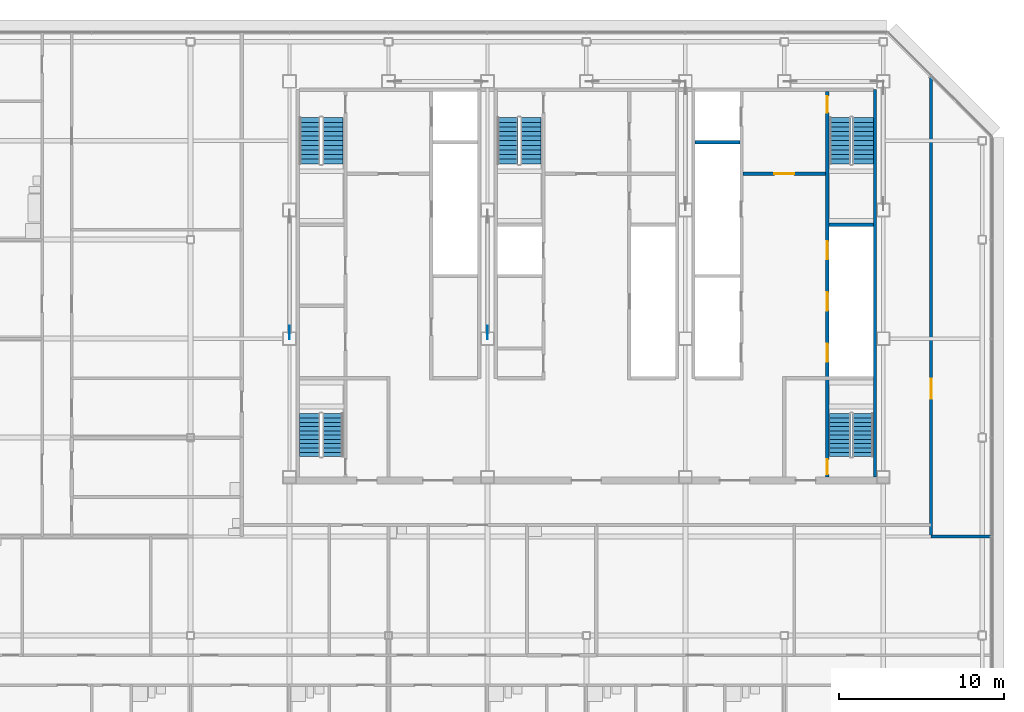
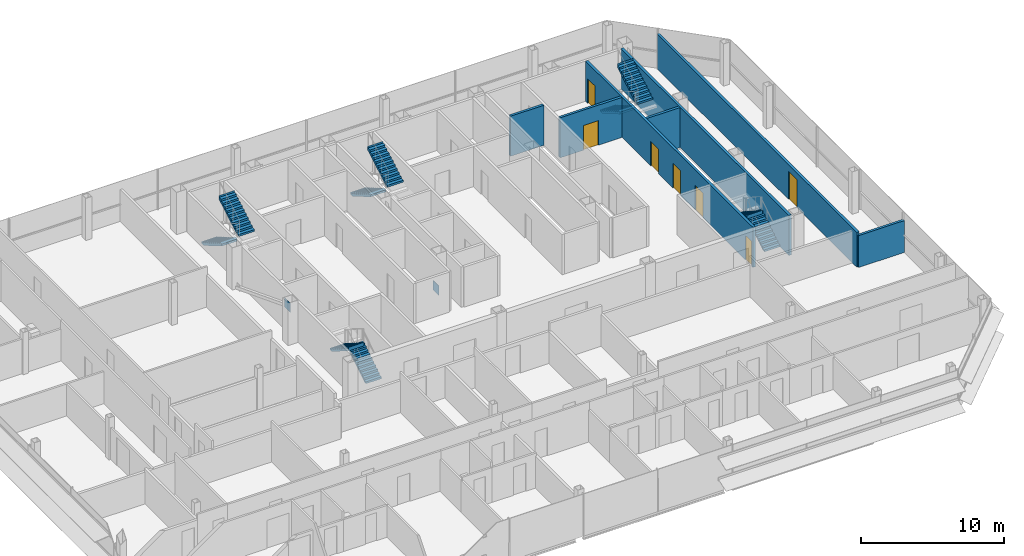
# One storey, part 25 of 28: 10 stair flights, 7 doors, 7 walls, 2 discrete accessories, 7 openings, 5 elements without a shape of their own.
"""IFC4 building model written with IfcOpenShell, lengths in metres."""

from ifc_helpers import new_model, si_unit, direction, frame, frame_2d, origin, origin_2d, place, context, subcontext, project, spatial, polyline, rectangle, outline, extrude, material, layer, layer_set, type_object, element, fill, aggregate, save


model = new_model("IFC4")

# Units and contexts
model_context = context("Model", 3, precision=1e-05, world=origin(), true_north=direction((0.0, 1.0)))
body_context = subcontext(model_context, "Body", "Model", "MODEL_VIEW")
ifc_project = project(units=[si_unit("LENGTHUNIT", "METRE"), si_unit("AREAUNIT", "SQUARE_METRE"), si_unit("VOLUMEUNIT", "CUBIC_METRE"), si_unit("PLANEANGLEUNIT", "RADIAN"), si_unit("MASSUNIT", "GRAM", prefix="KILO")], contexts=[model_context])

# Site, building, storey
site_placement = place(None, origin())
site = spatial("IfcSite", under=ifc_project, at=site_placement, CompositionType="ELEMENT")
building_placement = place(site_placement, origin())
building = spatial("IfcBuilding", under=site, at=building_placement, Name="Sorahane Residences", CompositionType="ELEMENT")
storey_placement = place(building_placement, frame((0.0, 0.0, 301.60009765625)))
storey = spatial("IfcBuildingStorey", under=building, at=storey_placement, Name="L71", CompositionType="ELEMENT", Elevation=301.60009765625)

# Wall
ifc_material_1 = material(Name="Concrete C30", Category="concrete")
ifc_layer_1 = layer(ifc_material_1, 0.199951171875)
ifc_layer_set_1 = layer_set([ifc_layer_1], Name="Core face wall 200 EI 180")
wall_type_1 = type_object("IfcWallType", Name="Core face wall 200 EI 180", PredefinedType="SOLIDWALL", material=ifc_layer_set_1)
wall_1_placement = place(storey_placement, frame((41.5, 21.60009765625, 0.0), z_axis=(0.0, 0.0, 1.0), x_axis=(0.0, 1.0, 0.0)))
element("IfcWall", 1, at=wall_1_placement, inside=storey, type_object=wall_type_1, Name="L71 core face wall", PredefinedType="SOLIDWALL", context=body_context, shape_type="SweptSolid", body=[
    extrude(rectangle(XDim=23.5, YDim=0.199951171875, at=frame_2d((11.75, 0.0))), origin(), (0.0, 0.0, 1.0), 3.419921875),
])

# Wall, opening, door
ifc_material_2 = material(Name="Concrete blockwork C20 wall", Category="masonry")
ifc_layer_2 = layer(ifc_material_2, 0.199951171875)
ifc_layer_set_2 = layer_set([ifc_layer_2], Name="Corridor wall 200 EI 120")
wall_type_2 = type_object("IfcWallType", Name="Corridor wall 200 EI 120", PredefinedType="SOLIDWALL", material=ifc_layer_set_2)
wall_2_placement = place(storey_placement, frame((44.89990234375, 18.0, 0.0), z_axis=(0.0, 0.0, 1.0), x_axis=(0.0, 1.0, 0.0)))
wall_2 = element("IfcWall", 2, at=wall_2_placement, inside=storey, type_object=wall_type_2, Name="L71 corridor wall", PredefinedType="SOLIDWALL", context=body_context, shape_type="SweptSolid", body=[
    extrude(rectangle(XDim=27.948974609375, YDim=0.199951171875, at=frame_2d((13.974609375, 0.0))), origin(), (0.0, 0.0, 1.0), 2.969970703125),
])
opening_1_placement = place(wall_2_placement, frame((8.360107421875, 0.0, 0.0)))
opening_1 = element("IfcOpeningElement", 3, at=opening_1_placement, cuts=wall_2, Name="Opening L71-47", PredefinedType="OPENING", context=body_context, shape_type="SweptSolid", body=[
    extrude(rectangle(XDim=1.199951171875, YDim=2.39990234375, at=frame_2d((0.60009765625, 1.199951171875))), frame((0.0, 0.10986328125, 0.0), z_axis=(0.0, -1.0, 0.0), x_axis=(1.0, 0.0, 0.0)), (0.0, 0.0, 1.0), 0.219970703125),
])
ifc_material_3 = material(Name="Steel", Category="steel")
door_type_1 = type_object("IfcDoorType", Name="Lobby door 1200x2400 FD60", OperationType="NOTDEFINED", PredefinedType="DOOR", material=ifc_material_3)
door_1_placement = place(opening_1_placement, frame((1.199951171875, 0.0, 0.0), z_axis=(0.0, 0.0, 1.0), x_axis=(-1.0, 0.0, 0.0)))
door_1 = element("IfcDoor", 4, at=door_1_placement, inside=storey, type_object=door_type_1, Name="Lobby door L71-47", OperationType="SINGLE_SWING_RIGHT", OverallHeight=2.39990234375, OverallWidth=1.199951171875, PredefinedType="DOOR", context=body_context, shape_type="SweptSolid", body=[
    extrude(rectangle(XDim=1.199951171875, YDim=2.39990234375, at=frame_2d((0.60009765625, 1.199951171875))), frame((0.0, 0.02490234375, 0.0), z_axis=(0.0, -1.0, 0.0), x_axis=(1.0, 0.0, 0.0)), (0.0, 0.0, 1.0), 0.050048828125),
])
fill(opening_1, door_1)

# Wall
wall_3_placement = place(storey_placement, frame((44.89990234375, 18.0, 0.0), z_axis=(0.0, 0.0, 1.0), x_axis=(1.0, 0.0, 0.0)))
element("IfcWall", 5, at=wall_3_placement, inside=storey, type_object=wall_type_2, Name="L71 corridor wall", PredefinedType="SOLIDWALL", context=body_context, shape_type="SweptSolid", body=[
    extrude(rectangle(XDim=3.7001953125, YDim=0.199951171875, at=frame_2d((1.85009765625, 0.0))), origin(), (0.0, 0.0, 1.0), 2.719970703125),
])

# Wall, opening, door
ifc_material_4 = material(Name="Concrete C30", Category="concrete")
ifc_layer_3 = layer(ifc_material_4, 0.199951171875)
ifc_layer_set_3 = layer_set([ifc_layer_3], Name="Front room wall 200 EI 120")
wall_type_3 = type_object("IfcWallType", Name="Front room wall 200 EI 120", PredefinedType="PARTITIONING", material=ifc_layer_set_3)
wall_4_placement = place(storey_placement, frame((33.5, 40.0, 0.0), z_axis=(0.0, 0.0, 1.0), x_axis=(1.0, 0.0, 0.0)))
wall_4 = element("IfcWall", 6, at=wall_4_placement, inside=storey, type_object=wall_type_3, Name="L71 front room wall", PredefinedType="PARTITIONING", context=body_context, shape_type="SweptSolid", body=[
    extrude(rectangle(XDim=5.0, YDim=0.199951171875, at=frame_2d((2.5, 0.0))), origin(), (0.0, 0.0, 1.0), 3.419921875),
])
opening_2_placement = place(wall_4_placement, frame((1.89990234375, 0.0, 0.0)))
opening_2 = element("IfcOpeningElement", 7, at=opening_2_placement, cuts=wall_4, Name="Opening L71-C08", PredefinedType="OPENING", context=body_context, shape_type="SweptSolid", body=[
    extrude(rectangle(XDim=1.199951171875, YDim=2.10009765625, at=frame_2d((0.60009765625, 1.050048828125))), frame((0.0, 0.10986328125, 0.0), z_axis=(0.0, -1.0, 0.0), x_axis=(1.0, 0.0, 0.0)), (0.0, 0.0, 1.0), 0.219970703125),
])
ifc_material_5 = material(Name="Steel", Category="steel")
door_type_2 = type_object("IfcDoorType", Name="Front room door 1200x2100 FD120", OperationType="NOTDEFINED", PredefinedType="DOOR", material=ifc_material_5)
door_2_placement = place(opening_2_placement, frame((1.199951171875, 0.0, 0.0), z_axis=(0.0, 0.0, 1.0), x_axis=(-1.0, 0.0, 0.0)))
door_2 = element("IfcDoor", 8, at=door_2_placement, inside=storey, type_object=door_type_2, Name="Front room door Firefighting lobby FF2 front room L71", OperationType="DOUBLE_DOOR_SINGLE_SWING", OverallHeight=2.10009765625, OverallWidth=1.199951171875, PredefinedType="DOOR", context=body_context, shape_type="SweptSolid", body=[
    extrude(rectangle(XDim=1.199951171875, YDim=2.10009765625, at=frame_2d((0.60009765625, 1.050048828125))), frame((0.0, 0.02490234375, 0.0), z_axis=(0.0, -1.0, 0.0), x_axis=(1.0, 0.0, 0.0)), (0.0, 0.0, 1.0), 0.050048828125),
])
fill(opening_2, door_2)

# Wall
ifc_material_6 = material(Name="Concrete C30", Category="concrete")
ifc_layer_4 = layer(ifc_material_6, 0.199951171875)
ifc_layer_set_4 = layer_set([ifc_layer_4], Name="Lift shaft wall 200 EI 120")
wall_type_4 = type_object("IfcWallType", Name="Lift shaft wall 200 EI 120", PredefinedType="SOLIDWALL", material=ifc_layer_set_4)
wall_5_placement = place(storey_placement, frame((30.60009765625, 41.89990234375, 0.0), z_axis=(0.0, 0.0, 1.0), x_axis=(1.0, 0.0, 0.0)))
element("IfcWall", 9, at=wall_5_placement, inside=storey, type_object=wall_type_4, Name="L71 lift shaft wall", PredefinedType="SOLIDWALL", context=body_context, shape_type="SweptSolid", body=[
    extrude(rectangle(XDim=2.699951171875, YDim=0.199951171875, at=frame_2d((1.35009765625, 0.0))), origin(), (0.0, 0.0, 1.0), 3.419921875),
])

# Wall, openings, doors
ifc_material_7 = material(Name="Concrete C30", Category="concrete")
ifc_layer_5 = layer(ifc_material_7, 0.199951171875)
ifc_layer_set_5 = layer_set([ifc_layer_5], Name="Stair enclosure wall 200 EI 120")
wall_type_5 = type_object("IfcWallType", Name="Stair enclosure wall 200 EI 120", PredefinedType="SOLIDWALL", material=ifc_layer_set_5)
wall_6_placement = place(storey_placement, frame((38.60009765625, 21.60009765625, 0.0), z_axis=(0.0, 0.0, 1.0), x_axis=(0.0, 1.0, 0.0)))
wall_6 = element("IfcWall", 10, at=wall_6_placement, inside=storey, type_object=wall_type_5, Name="L71 stair enclosure wall", PredefinedType="SOLIDWALL", context=body_context, shape_type="SweptSolid", body=[
    extrude(rectangle(XDim=23.39990234375, YDim=0.199951171875, at=frame_2d((11.699951171875, 0.0))), origin(), (0.0, 0.0, 1.0), 3.419921875),
])
opening_3_placement = place(wall_6_placement, frame((7.0, 0.0, 0.0)))
opening_3 = element("IfcOpeningElement", 11, at=opening_3_placement, cuts=wall_6, Name="Opening L71-C09", PredefinedType="OPENING", context=body_context, shape_type="SweptSolid", body=[
    extrude(rectangle(XDim=1.10009765625, YDim=2.10009765625, at=frame_2d((0.550048828125, 1.050048828125))), frame((0.0, 0.10986328125, 0.0), z_axis=(0.0, -1.0, 0.0), x_axis=(1.0, 0.0, 0.0)), (0.0, 0.0, 1.0), 0.219970703125),
])
opening_4_placement = place(wall_6_placement, frame((10.10009765625, 0.0, 0.0)))
opening_4 = element("IfcOpeningElement", 12, at=opening_4_placement, cuts=wall_6, Name="Opening L71-C10", PredefinedType="OPENING", context=body_context, shape_type="SweptSolid", body=[
    extrude(rectangle(XDim=1.10009765625, YDim=2.10009765625, at=frame_2d((0.550048828125, 1.050048828125))), frame((0.0, 0.10986328125, 0.0), z_axis=(0.0, -1.0, 0.0), x_axis=(1.0, 0.0, 0.0)), (0.0, 0.0, 1.0), 0.219970703125),
])
opening_5_placement = place(wall_6_placement, frame((13.199951171875, 0.0, 0.0)))
opening_5 = element("IfcOpeningElement", 13, at=opening_5_placement, cuts=wall_6, Name="Opening L71-C11", PredefinedType="OPENING", context=body_context, shape_type="SweptSolid", body=[
    extrude(rectangle(XDim=1.10009765625, YDim=2.10009765625, at=frame_2d((0.550048828125, 1.050048828125))), frame((0.0, 0.10986328125, 0.0), z_axis=(0.0, -1.0, 0.0), x_axis=(1.0, 0.0, 0.0)), (0.0, 0.0, 1.0), 0.219970703125),
])
opening_6_placement = place(wall_6_placement, frame((22.10009765625, 0.0, 0.0)))
opening_6 = element("IfcOpeningElement", 14, at=opening_6_placement, cuts=wall_6, Name="Opening L71-C22", PredefinedType="OPENING", context=body_context, shape_type="SweptSolid", body=[
    extrude(rectangle(XDim=1.0, YDim=2.10009765625, at=frame_2d((0.5, 1.050048828125))), frame((0.0, 0.10986328125, 0.0), z_axis=(0.0, -1.0, 0.0), x_axis=(1.0, 0.0, 0.0)), (0.0, 0.0, 1.0), 0.219970703125),
])
opening_7_placement = place(wall_6_placement, frame((0.175048828125, 0.0, 0.0)))
opening_7 = element("IfcOpeningElement", 15, at=opening_7_placement, cuts=wall_6, Name="Opening L71-C25", PredefinedType="OPENING", context=body_context, shape_type="SweptSolid", body=[
    extrude(rectangle(XDim=0.89990234375, YDim=2.10009765625, at=frame_2d((0.449951171875, 1.050048828125))), frame((0.0, 0.10986328125, 0.0), z_axis=(0.0, -1.0, 0.0), x_axis=(1.0, 0.0, 0.0)), (0.0, 0.0, 1.0), 0.219970703125),
])
ifc_material_8 = material(Name="Aluminium and stainless steel", Category="steel")
door_type_3 = type_object("IfcDoorType", Name="Lift landing door 1100x2100 E 60", OperationType="NOTDEFINED", PredefinedType="DOOR", material=ifc_material_8)
door_3_placement = place(opening_3_placement, origin())
door_3 = element("IfcDoor", 16, at=door_3_placement, inside=storey, type_object=door_type_3, Name="Lift landing door HR1 L71", OperationType="DOUBLE_DOOR_SLIDING", OverallHeight=2.10009765625, OverallWidth=1.10009765625, PredefinedType="DOOR", context=body_context, shape_type="SweptSolid", body=[
    extrude(rectangle(XDim=1.10009765625, YDim=2.10009765625, at=frame_2d((0.550048828125, 1.050048828125))), frame((0.0, 0.02490234375, 0.0), z_axis=(0.0, -1.0, 0.0), x_axis=(1.0, 0.0, 0.0)), (0.0, 0.0, 1.0), 0.050048828125),
])
fill(opening_3, door_3)
door_4_placement = place(opening_4_placement, origin())
door_4 = element("IfcDoor", 17, at=door_4_placement, inside=storey, type_object=door_type_3, Name="Lift landing door HR2 L71", OperationType="DOUBLE_DOOR_SLIDING", OverallHeight=2.10009765625, OverallWidth=1.10009765625, PredefinedType="DOOR", context=body_context, shape_type="SweptSolid", body=[
    extrude(rectangle(XDim=1.10009765625, YDim=2.10009765625, at=frame_2d((0.550048828125, 1.050048828125))), frame((0.0, 0.02490234375, 0.0), z_axis=(0.0, -1.0, 0.0), x_axis=(1.0, 0.0, 0.0)), (0.0, 0.0, 1.0), 0.050048828125),
])
fill(opening_4, door_4)
door_5_placement = place(opening_5_placement, origin())
door_5 = element("IfcDoor", 18, at=door_5_placement, inside=storey, type_object=door_type_3, Name="Lift landing door HR3 L71", OperationType="DOUBLE_DOOR_SLIDING", OverallHeight=2.10009765625, OverallWidth=1.10009765625, PredefinedType="DOOR", context=body_context, shape_type="SweptSolid", body=[
    extrude(rectangle(XDim=1.10009765625, YDim=2.10009765625, at=frame_2d((0.550048828125, 1.050048828125))), frame((0.0, 0.02490234375, 0.0), z_axis=(0.0, -1.0, 0.0), x_axis=(1.0, 0.0, 0.0)), (0.0, 0.0, 1.0), 0.050048828125),
])
fill(opening_5, door_5)
ifc_material_9 = material(Name="Steel", Category="steel")
door_type_4 = type_object("IfcDoorType", Name="Stair door 1000x2100 FD120", OperationType="NOTDEFINED", PredefinedType="DOOR", material=ifc_material_9)
door_6_placement = place(opening_6_placement, frame((1.0, 0.0, 0.0), z_axis=(0.0, 0.0, 1.0), x_axis=(-1.0, 0.0, 0.0)))
door_6 = element("IfcDoor", 19, at=door_6_placement, inside=storey, type_object=door_type_4, Name="Stair door S2 L71", OperationType="SINGLE_SWING_LEFT", OverallHeight=2.10009765625, OverallWidth=1.0, PredefinedType="DOOR", context=body_context, shape_type="SweptSolid", body=[
    extrude(rectangle(XDim=1.0, YDim=2.10009765625, at=frame_2d((0.5, 1.050048828125))), frame((0.0, 0.02490234375, 0.0), z_axis=(0.0, -1.0, 0.0), x_axis=(1.0, 0.0, 0.0)), (0.0, 0.0, 1.0), 0.050048828125),
])
fill(opening_6, door_6)
ifc_material_10 = material(Name="Steel", Category="steel")
door_type_5 = type_object("IfcDoorType", Name="Stair door 900x2100 FD120", OperationType="NOTDEFINED", PredefinedType="DOOR", material=ifc_material_10)
door_7_placement = place(opening_7_placement, frame((0.89990234375, 0.0, 0.0), z_axis=(0.0, 0.0, 1.0), x_axis=(-1.0, 0.0, 0.0)))
door_7 = element("IfcDoor", 20, at=door_7_placement, inside=storey, type_object=door_type_5, Name="Stair door S5 L71", OperationType="SINGLE_SWING_LEFT", OverallHeight=2.10009765625, OverallWidth=0.89990234375, PredefinedType="DOOR", context=body_context, shape_type="SweptSolid", body=[
    extrude(rectangle(XDim=0.89990234375, YDim=2.10009765625, at=frame_2d((0.449951171875, 1.050048828125))), frame((0.0, 0.02490234375, 0.0), z_axis=(0.0, -1.0, 0.0), x_axis=(1.0, 0.0, 0.0)), (0.0, 0.0, 1.0), 0.050048828125),
])
fill(opening_7, door_7)

# Wall
wall_7_placement = place(storey_placement, frame((38.699951171875, 36.89990234375, 0.0), z_axis=(0.0, 0.0, 1.0), x_axis=(1.0, 0.0, 0.0)))
element("IfcWall", 21, at=wall_7_placement, inside=storey, type_object=wall_type_5, Name="L71 stair enclosure wall", PredefinedType="SOLIDWALL", context=body_context, shape_type="SweptSolid", body=[
    extrude(rectangle(XDim=2.699951171875, YDim=0.199951171875, at=frame_2d((1.35009765625, 0.0))), origin(), (0.0, 0.0, 1.0), 3.419921875),
])

# Stair, stair flights
ifc_material_11 = material(Name="Concrete C40", Category="concrete")
stair_type = type_object("IfcStairType", Name="Dog-leg stair 1250 Concrete C40", PredefinedType="HALF_TURN_STAIR", material=ifc_material_11)
stair_1_placement = place(storey_placement, origin())
stair_1 = element("IfcStair", 22, at=stair_1_placement, inside=storey, type_object=stair_type, Name="L71 Stair S1", PredefinedType="HALF_TURN_STAIR")
ifc_material_12 = material(Name="Concrete C40", Category="concrete")
stair_flight_type = type_object("IfcStairFlightType", Name="Stair flight 1250 Concrete C40", PredefinedType="STRAIGHT", material=ifc_material_12)
stair_flight_1_placement = place(storey_placement, frame((7.22509765625, 43.39990234375, 0.0), z_axis=(0.0, 0.0, 1.0), x_axis=(0.0, -1.0, 0.0)))
stair_flight_1 = element("IfcStairFlight", 23, at=stair_flight_1_placement, type_object=stair_flight_type, Name="S1 flight 1", NumberOfRisers=11, NumberOfTreads=10, PredefinedType="STRAIGHT", RiserHeight=0.163636364, TreadLength=0.28, context=body_context, shape_type="SweptSolid", body=[
    extrude(outline(polyline([(-0.00146484375, 0.0), (-0.00146484375, 0.16357421875), (0.0, 0.16357421875), (0.280029296875, 0.16357421875), (0.280029296875, 0.327392578125), (0.56005859375, 0.327392578125), (0.56005859375, 0.490966796875), (0.840087890625, 0.490966796875), (0.840087890625, 0.654541015625), (1.1201171875, 0.654541015625), (1.1201171875, 0.818115234375), (1.39990234375, 0.818115234375), (1.39990234375, 0.98193359375), (1.679931640625, 0.98193359375), (1.679931640625, 1.1455078125), (1.9599609375, 1.1455078125), (1.9599609375, 1.30908203125), (2.239990234375, 1.30908203125), (2.239990234375, 1.47265625), (2.52001953125, 1.47265625), (2.52001953125, 1.636474609375), (2.800048828125, 1.636474609375), (2.800048828125, 1.800048828125), (2.800048828125, 1.462646484375), (2.59130859375, 1.3408203125), (2.3828125, 1.218994140625), (2.17431640625, 1.09716796875), (1.965576171875, 0.97509765625), (1.757080078125, 0.853271484375), (1.548583984375, 0.7314453125), (1.340087890625, 0.609375), (1.13134765625, 0.487548828125), (0.9228515625, 0.36572265625), (0.71435546875, 0.243896484375), (0.505615234375, 0.121826171875), (0.297119140625, 0.0), (-0.00146484375, 0.0)])), frame((0.0, 0.625, 0.0), z_axis=(0.0, -1.0, 0.0), x_axis=(1.0, 0.0, 0.0)), (0.0, 0.0, 1.0), 1.25),
])
stair_flight_2_placement = place(storey_placement, frame((8.625, 40.60009765625, 1.7998046875), z_axis=(0.0, 0.0, 1.0), x_axis=(0.0, 1.0, 0.0)))
stair_flight_2 = element("IfcStairFlight", 24, at=stair_flight_2_placement, type_object=stair_flight_type, Name="S1 flight 2", NumberOfRisers=11, NumberOfTreads=10, PredefinedType="STRAIGHT", RiserHeight=0.163636364, TreadLength=0.28, context=body_context, shape_type="SweptSolid", body=[
    extrude(outline(polyline([(0.0, 0.0), (0.0, 0.16357421875), (0.280029296875, 0.16357421875), (0.280029296875, 0.327392578125), (0.56005859375, 0.327392578125), (0.56005859375, 0.490966796875), (0.840087890625, 0.490966796875), (0.840087890625, 0.654541015625), (1.1201171875, 0.654541015625), (1.1201171875, 0.818115234375), (1.39990234375, 0.818115234375), (1.39990234375, 0.98193359375), (1.679931640625, 0.98193359375), (1.679931640625, 1.1455078125), (1.9599609375, 1.1455078125), (1.9599609375, 1.30908203125), (2.239990234375, 1.30908203125), (2.239990234375, 1.47265625), (2.52001953125, 1.47265625), (2.52001953125, 1.636474609375), (2.800048828125, 1.636474609375), (2.800048828125, 1.800048828125), (2.801513671875, 1.800048828125), (2.801513671875, 1.462646484375), (2.5927734375, 1.3408203125), (2.384033203125, 1.218994140625), (2.17529296875, 1.09716796875), (1.966796875, 0.97509765625), (1.758056640625, 0.853271484375), (1.54931640625, 0.7314453125), (1.340576171875, 0.609375), (1.1318359375, 0.487548828125), (0.923095703125, 0.36572265625), (0.714599609375, 0.243896484375), (0.505859375, 0.121826171875), (0.297119140625, 0.0), (0.0, 0.0)])), frame((0.0, 0.625, 0.0), z_axis=(0.0, -1.0, 0.0), x_axis=(1.0, 0.0, 0.0)), (0.0, 0.0, 1.0), 1.25),
])
aggregate(stair_1, [stair_flight_1, stair_flight_2])

stair_2_placement = place(storey_placement, origin())
stair_2 = element("IfcStair", 25, at=stair_2_placement, inside=storey, type_object=stair_type, Name="L71 Stair S2", PredefinedType="HALF_TURN_STAIR")
stair_flight_3_placement = place(storey_placement, frame((39.375, 43.39990234375, 0.0), z_axis=(0.0, 0.0, 1.0), x_axis=(0.0, -1.0, 0.0)))
stair_flight_3 = element("IfcStairFlight", 26, at=stair_flight_3_placement, type_object=stair_flight_type, Name="S2 flight 1", NumberOfRisers=11, NumberOfTreads=10, PredefinedType="STRAIGHT", RiserHeight=0.163636364, TreadLength=0.28, context=body_context, shape_type="SweptSolid", body=[
    extrude(outline(polyline([(-0.00146484375, 0.0), (-0.00146484375, 0.16357421875), (0.0, 0.16357421875), (0.280029296875, 0.16357421875), (0.280029296875, 0.327392578125), (0.56005859375, 0.327392578125), (0.56005859375, 0.490966796875), (0.840087890625, 0.490966796875), (0.840087890625, 0.654541015625), (1.1201171875, 0.654541015625), (1.1201171875, 0.818115234375), (1.39990234375, 0.818115234375), (1.39990234375, 0.98193359375), (1.679931640625, 0.98193359375), (1.679931640625, 1.1455078125), (1.9599609375, 1.1455078125), (1.9599609375, 1.30908203125), (2.239990234375, 1.30908203125), (2.239990234375, 1.47265625), (2.52001953125, 1.47265625), (2.52001953125, 1.636474609375), (2.800048828125, 1.636474609375), (2.800048828125, 1.800048828125), (2.800048828125, 1.462646484375), (2.59130859375, 1.3408203125), (2.3828125, 1.218994140625), (2.17431640625, 1.09716796875), (1.965576171875, 0.97509765625), (1.757080078125, 0.853271484375), (1.548583984375, 0.7314453125), (1.340087890625, 0.609375), (1.13134765625, 0.487548828125), (0.9228515625, 0.36572265625), (0.71435546875, 0.243896484375), (0.505615234375, 0.121826171875), (0.297119140625, 0.0), (-0.00146484375, 0.0)])), frame((0.0, 0.625, 0.0), z_axis=(0.0, -1.0, 0.0), x_axis=(1.0, 0.0, 0.0)), (0.0, 0.0, 1.0), 1.25),
])
stair_flight_4_placement = place(storey_placement, frame((40.77490234375, 40.60009765625, 1.7998046875), z_axis=(0.0, 0.0, 1.0), x_axis=(0.0, 1.0, 0.0)))
stair_flight_4 = element("IfcStairFlight", 27, at=stair_flight_4_placement, type_object=stair_flight_type, Name="S2 flight 2", NumberOfRisers=11, NumberOfTreads=10, PredefinedType="STRAIGHT", RiserHeight=0.163636364, TreadLength=0.28, context=body_context, shape_type="SweptSolid", body=[
    extrude(outline(polyline([(0.0, 0.0), (0.0, 0.16357421875), (0.280029296875, 0.16357421875), (0.280029296875, 0.327392578125), (0.56005859375, 0.327392578125), (0.56005859375, 0.490966796875), (0.840087890625, 0.490966796875), (0.840087890625, 0.654541015625), (1.1201171875, 0.654541015625), (1.1201171875, 0.818115234375), (1.39990234375, 0.818115234375), (1.39990234375, 0.98193359375), (1.679931640625, 0.98193359375), (1.679931640625, 1.1455078125), (1.9599609375, 1.1455078125), (1.9599609375, 1.30908203125), (2.239990234375, 1.30908203125), (2.239990234375, 1.47265625), (2.52001953125, 1.47265625), (2.52001953125, 1.636474609375), (2.800048828125, 1.636474609375), (2.800048828125, 1.800048828125), (2.801513671875, 1.800048828125), (2.801513671875, 1.462646484375), (2.5927734375, 1.3408203125), (2.384033203125, 1.218994140625), (2.17529296875, 1.09716796875), (1.966796875, 0.97509765625), (1.758056640625, 0.853271484375), (1.54931640625, 0.7314453125), (1.340576171875, 0.609375), (1.1318359375, 0.487548828125), (0.923095703125, 0.36572265625), (0.714599609375, 0.243896484375), (0.505859375, 0.121826171875), (0.297119140625, 0.0), (0.0, 0.0)])), frame((0.0, 0.625, 0.0), z_axis=(0.0, -1.0, 0.0), x_axis=(1.0, 0.0, 0.0)), (0.0, 0.0, 1.0), 1.25),
])
aggregate(stair_2, [stair_flight_3, stair_flight_4])

stair_3_placement = place(storey_placement, origin())
stair_3 = element("IfcStair", 28, at=stair_3_placement, inside=storey, type_object=stair_type, Name="L71 Stair S3", PredefinedType="HALF_TURN_STAIR")
stair_flight_5_placement = place(storey_placement, frame((19.22509765625, 43.39990234375, 0.0), z_axis=(0.0, 0.0, 1.0), x_axis=(0.0, -1.0, 0.0)))
stair_flight_5 = element("IfcStairFlight", 29, at=stair_flight_5_placement, type_object=stair_flight_type, Name="S3 flight 1", NumberOfRisers=11, NumberOfTreads=10, PredefinedType="STRAIGHT", RiserHeight=0.163636364, TreadLength=0.28, context=body_context, shape_type="SweptSolid", body=[
    extrude(outline(polyline([(-0.00146484375, 0.0), (-0.00146484375, 0.16357421875), (0.0, 0.16357421875), (0.280029296875, 0.16357421875), (0.280029296875, 0.327392578125), (0.56005859375, 0.327392578125), (0.56005859375, 0.490966796875), (0.840087890625, 0.490966796875), (0.840087890625, 0.654541015625), (1.1201171875, 0.654541015625), (1.1201171875, 0.818115234375), (1.39990234375, 0.818115234375), (1.39990234375, 0.98193359375), (1.679931640625, 0.98193359375), (1.679931640625, 1.1455078125), (1.9599609375, 1.1455078125), (1.9599609375, 1.30908203125), (2.239990234375, 1.30908203125), (2.239990234375, 1.47265625), (2.52001953125, 1.47265625), (2.52001953125, 1.636474609375), (2.800048828125, 1.636474609375), (2.800048828125, 1.800048828125), (2.800048828125, 1.462646484375), (2.59130859375, 1.3408203125), (2.3828125, 1.218994140625), (2.17431640625, 1.09716796875), (1.965576171875, 0.97509765625), (1.757080078125, 0.853271484375), (1.548583984375, 0.7314453125), (1.340087890625, 0.609375), (1.13134765625, 0.487548828125), (0.9228515625, 0.36572265625), (0.71435546875, 0.243896484375), (0.505615234375, 0.121826171875), (0.297119140625, 0.0), (-0.00146484375, 0.0)])), frame((0.0, 0.625, 0.0), z_axis=(0.0, -1.0, 0.0), x_axis=(1.0, 0.0, 0.0)), (0.0, 0.0, 1.0), 1.25),
])
stair_flight_6_placement = place(storey_placement, frame((20.625, 40.60009765625, 1.7998046875), z_axis=(0.0, 0.0, 1.0), x_axis=(0.0, 1.0, 0.0)))
stair_flight_6 = element("IfcStairFlight", 30, at=stair_flight_6_placement, type_object=stair_flight_type, Name="S3 flight 2", NumberOfRisers=11, NumberOfTreads=10, PredefinedType="STRAIGHT", RiserHeight=0.163636364, TreadLength=0.28, context=body_context, shape_type="SweptSolid", body=[
    extrude(outline(polyline([(0.0, 0.0), (0.0, 0.16357421875), (0.280029296875, 0.16357421875), (0.280029296875, 0.327392578125), (0.56005859375, 0.327392578125), (0.56005859375, 0.490966796875), (0.840087890625, 0.490966796875), (0.840087890625, 0.654541015625), (1.1201171875, 0.654541015625), (1.1201171875, 0.818115234375), (1.39990234375, 0.818115234375), (1.39990234375, 0.98193359375), (1.679931640625, 0.98193359375), (1.679931640625, 1.1455078125), (1.9599609375, 1.1455078125), (1.9599609375, 1.30908203125), (2.239990234375, 1.30908203125), (2.239990234375, 1.47265625), (2.52001953125, 1.47265625), (2.52001953125, 1.636474609375), (2.800048828125, 1.636474609375), (2.800048828125, 1.800048828125), (2.801513671875, 1.800048828125), (2.801513671875, 1.462646484375), (2.5927734375, 1.3408203125), (2.384033203125, 1.218994140625), (2.17529296875, 1.09716796875), (1.966796875, 0.97509765625), (1.758056640625, 0.853271484375), (1.54931640625, 0.7314453125), (1.340576171875, 0.609375), (1.1318359375, 0.487548828125), (0.923095703125, 0.36572265625), (0.714599609375, 0.243896484375), (0.505859375, 0.121826171875), (0.297119140625, 0.0), (0.0, 0.0)])), frame((0.0, 0.625, 0.0), z_axis=(0.0, -1.0, 0.0), x_axis=(1.0, 0.0, 0.0)), (0.0, 0.0, 1.0), 1.25),
])
aggregate(stair_3, [stair_flight_5, stair_flight_6])

stair_4_placement = place(storey_placement, origin())
stair_4 = element("IfcStair", 31, at=stair_4_placement, inside=storey, type_object=stair_type, Name="L71 Stair S4", PredefinedType="HALF_TURN_STAIR")
stair_flight_7_placement = place(storey_placement, frame((8.625, 22.85009765625, 0.0), z_axis=(0.0, 0.0, 1.0), x_axis=(0.0, 1.0, 0.0)))
stair_flight_7 = element("IfcStairFlight", 32, at=stair_flight_7_placement, type_object=stair_flight_type, Name="S4 flight 1", NumberOfRisers=11, NumberOfTreads=10, PredefinedType="STRAIGHT", RiserHeight=0.163636364, TreadLength=0.26, context=body_context, shape_type="SweptSolid", body=[
    extrude(outline(polyline([(-0.00146484375, 0.0), (-0.00146484375, 0.16357421875), (0.0, 0.16357421875), (0.260009765625, 0.16357421875), (0.260009765625, 0.327392578125), (0.52001953125, 0.327392578125), (0.52001953125, 0.490966796875), (0.780029296875, 0.490966796875), (0.780029296875, 0.654541015625), (1.0400390625, 0.654541015625), (1.0400390625, 0.818115234375), (1.300048828125, 0.818115234375), (1.300048828125, 0.98193359375), (1.56005859375, 0.98193359375), (1.56005859375, 1.1455078125), (1.820068359375, 1.1455078125), (1.820068359375, 1.30908203125), (2.080078125, 1.30908203125), (2.080078125, 1.47265625), (2.340087890625, 1.47265625), (2.340087890625, 1.636474609375), (2.60009765625, 1.636474609375), (2.60009765625, 1.800048828125), (2.60009765625, 1.494384765625), (2.402099609375, 1.369873046875), (2.204345703125, 1.245361328125), (2.00634765625, 1.120849609375), (1.80859375, 0.996337890625), (1.610595703125, 0.871826171875), (1.412841796875, 0.747314453125), (1.21484375, 0.622802734375), (1.01708984375, 0.498046875), (0.819091796875, 0.37353515625), (0.621337890625, 0.2490234375), (0.42333984375, 0.12451171875), (0.2255859375, 0.0), (-0.00146484375, 0.0)])), frame((0.0, 0.625, 0.0), z_axis=(0.0, -1.0, 0.0), x_axis=(1.0, 0.0, 0.0)), (0.0, 0.0, 1.0), 1.25),
])
stair_flight_8_placement = place(storey_placement, frame((7.22509765625, 25.449951171875, 1.7998046875), z_axis=(0.0, 0.0, 1.0), x_axis=(0.0, -1.0, 0.0)))
stair_flight_8 = element("IfcStairFlight", 33, at=stair_flight_8_placement, type_object=stair_flight_type, Name="S4 flight 2", NumberOfRisers=11, NumberOfTreads=10, PredefinedType="STRAIGHT", RiserHeight=0.163636364, TreadLength=0.26, context=body_context, shape_type="SweptSolid", body=[
    extrude(outline(polyline([(0.0, 0.0), (0.0, 0.16357421875), (0.260009765625, 0.16357421875), (0.260009765625, 0.327392578125), (0.52001953125, 0.327392578125), (0.52001953125, 0.490966796875), (0.780029296875, 0.490966796875), (0.780029296875, 0.654541015625), (1.0400390625, 0.654541015625), (1.0400390625, 0.818115234375), (1.300048828125, 0.818115234375), (1.300048828125, 0.98193359375), (1.56005859375, 0.98193359375), (1.56005859375, 1.1455078125), (1.820068359375, 1.1455078125), (1.820068359375, 1.30908203125), (2.080078125, 1.30908203125), (2.080078125, 1.47265625), (2.340087890625, 1.47265625), (2.340087890625, 1.636474609375), (2.60009765625, 1.636474609375), (2.60009765625, 1.800048828125), (2.6015625, 1.800048828125), (2.6015625, 1.494384765625), (2.403564453125, 1.369873046875), (2.20556640625, 1.245361328125), (2.007568359375, 1.120849609375), (1.8095703125, 0.996337890625), (1.611572265625, 0.871826171875), (1.41357421875, 0.747314453125), (1.215576171875, 0.622802734375), (1.017578125, 0.498046875), (0.819580078125, 0.37353515625), (0.62158203125, 0.2490234375), (0.423583984375, 0.12451171875), (0.2255859375, 0.0), (0.0, 0.0)])), frame((0.0, 0.625, 0.0), z_axis=(0.0, -1.0, 0.0), x_axis=(1.0, 0.0, 0.0)), (0.0, 0.0, 1.0), 1.25),
])
aggregate(stair_4, [stair_flight_7, stair_flight_8])

stair_5_placement = place(storey_placement, origin())
stair_5 = element("IfcStair", 34, at=stair_5_placement, inside=storey, type_object=stair_type, Name="L71 Stair S5", PredefinedType="HALF_TURN_STAIR")
stair_flight_9_placement = place(storey_placement, frame((40.77490234375, 22.85009765625, 0.0), z_axis=(0.0, 0.0, 1.0), x_axis=(0.0, 1.0, 0.0)))
stair_flight_9 = element("IfcStairFlight", 35, at=stair_flight_9_placement, type_object=stair_flight_type, Name="S5 flight 1", NumberOfRisers=11, NumberOfTreads=10, PredefinedType="STRAIGHT", RiserHeight=0.163636364, TreadLength=0.26, context=body_context, shape_type="SweptSolid", body=[
    extrude(outline(polyline([(-0.00146484375, 0.0), (-0.00146484375, 0.16357421875), (0.0, 0.16357421875), (0.260009765625, 0.16357421875), (0.260009765625, 0.327392578125), (0.52001953125, 0.327392578125), (0.52001953125, 0.490966796875), (0.780029296875, 0.490966796875), (0.780029296875, 0.654541015625), (1.0400390625, 0.654541015625), (1.0400390625, 0.818115234375), (1.300048828125, 0.818115234375), (1.300048828125, 0.98193359375), (1.56005859375, 0.98193359375), (1.56005859375, 1.1455078125), (1.820068359375, 1.1455078125), (1.820068359375, 1.30908203125), (2.080078125, 1.30908203125), (2.080078125, 1.47265625), (2.340087890625, 1.47265625), (2.340087890625, 1.636474609375), (2.60009765625, 1.636474609375), (2.60009765625, 1.800048828125), (2.60009765625, 1.494384765625), (2.402099609375, 1.369873046875), (2.204345703125, 1.245361328125), (2.00634765625, 1.120849609375), (1.80859375, 0.996337890625), (1.610595703125, 0.871826171875), (1.412841796875, 0.747314453125), (1.21484375, 0.622802734375), (1.01708984375, 0.498046875), (0.819091796875, 0.37353515625), (0.621337890625, 0.2490234375), (0.42333984375, 0.12451171875), (0.2255859375, 0.0), (-0.00146484375, 0.0)])), frame((0.0, 0.625, 0.0), z_axis=(0.0, -1.0, 0.0), x_axis=(1.0, 0.0, 0.0)), (0.0, 0.0, 1.0), 1.25),
])
stair_flight_10_placement = place(storey_placement, frame((39.375, 25.449951171875, 1.7998046875), z_axis=(0.0, 0.0, 1.0), x_axis=(0.0, -1.0, 0.0)))
stair_flight_10 = element("IfcStairFlight", 36, at=stair_flight_10_placement, type_object=stair_flight_type, Name="S5 flight 2", NumberOfRisers=11, NumberOfTreads=10, PredefinedType="STRAIGHT", RiserHeight=0.163636364, TreadLength=0.26, context=body_context, shape_type="SweptSolid", body=[
    extrude(outline(polyline([(0.0, 0.0), (0.0, 0.16357421875), (0.260009765625, 0.16357421875), (0.260009765625, 0.327392578125), (0.52001953125, 0.327392578125), (0.52001953125, 0.490966796875), (0.780029296875, 0.490966796875), (0.780029296875, 0.654541015625), (1.0400390625, 0.654541015625), (1.0400390625, 0.818115234375), (1.300048828125, 0.818115234375), (1.300048828125, 0.98193359375), (1.56005859375, 0.98193359375), (1.56005859375, 1.1455078125), (1.820068359375, 1.1455078125), (1.820068359375, 1.30908203125), (2.080078125, 1.30908203125), (2.080078125, 1.47265625), (2.340087890625, 1.47265625), (2.340087890625, 1.636474609375), (2.60009765625, 1.636474609375), (2.60009765625, 1.800048828125), (2.6015625, 1.800048828125), (2.6015625, 1.494384765625), (2.403564453125, 1.369873046875), (2.20556640625, 1.245361328125), (2.007568359375, 1.120849609375), (1.8095703125, 0.996337890625), (1.611572265625, 0.871826171875), (1.41357421875, 0.747314453125), (1.215576171875, 0.622802734375), (1.017578125, 0.498046875), (0.819580078125, 0.37353515625), (0.62158203125, 0.2490234375), (0.423583984375, 0.12451171875), (0.2255859375, 0.0), (0.0, 0.0)])), frame((0.0, 0.625, 0.0), z_axis=(0.0, -1.0, 0.0), x_axis=(1.0, 0.0, 0.0)), (0.0, 0.0, 1.0), 1.25),
])
aggregate(stair_5, [stair_flight_9, stair_flight_10])

# Discrete accessories
ifc_material_13 = material(Name="Steel Q355B", Category="steel")
ifc_layer_6 = layer(ifc_material_13, 0.02490234375)
ifc_layer_set_6 = layer_set([ifc_layer_6], Name="Node plate Steel Q355B 25")
discrete_accessory_type = type_object("IfcDiscreteAccessoryType", Name="Node plate Steel Q355B 25", PredefinedType="BRACKET", material=ifc_layer_set_6)
for number, where, z_axis, x_axis, name in (
    (37, (6.0, 30.372802734375, 2.45556640625), (0.0, 0.0, 1.0), (0.0, 1.0, 0.0), "Node plate L71 br"),
    (38, (18.0, 30.372802734375, -0.28564453125), (0.0, 0.0, 1.0), (0.0, 1.0, 0.0), "Node plate L71 br"),
):
    element("IfcDiscreteAccessory", number, at=place(storey_placement, frame(where, z_axis=z_axis, x_axis=x_axis)), inside=storey, type_object=discrete_accessory_type, Name=name, PredefinedType="BRACKET", context=body_context, shape_type="SweptSolid", body=[
        extrude(rectangle(XDim=0.800048828125, YDim=0.02490234375, at=origin_2d()), origin(), (0.0, 0.0, 1.0), 0.800048828125),
    ])

save(model, "model.ifc")
